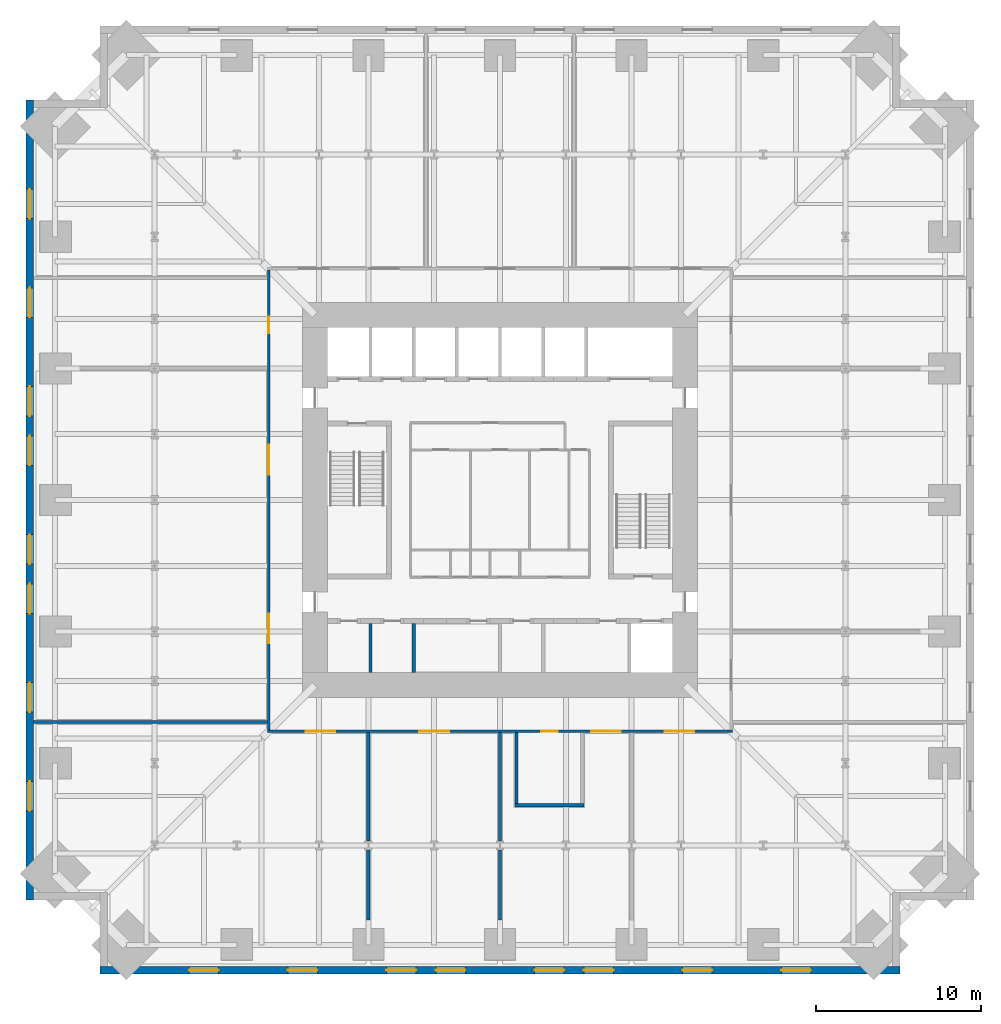
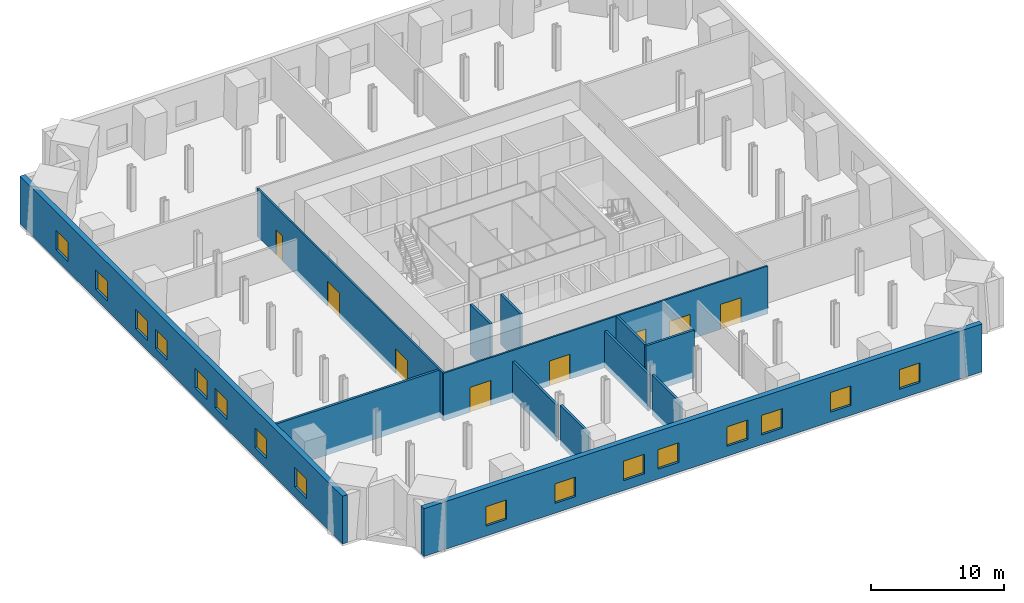
# One storey, part 3 of 8: 16 windows, 13 walls, 8 doors, 24 openings.
"""IFC4 building model written with IfcOpenShell, lengths in metres."""

from ifc_helpers import new_model, si_unit, direction, frame, frame_2d, origin, place, context, subcontext, project, spatial, rectangle, extrude, material, layer, layer_set, type_object, element, fill, save


model = new_model("IFC4")

# Units and contexts
model_context = context("Model", 3, precision=1e-05, world=origin(), true_north=direction((0.0, 1.0)))
body_context = subcontext(model_context, "Body", "Model", "MODEL_VIEW")
ifc_project = project(units=[si_unit("LENGTHUNIT", "METRE"), si_unit("AREAUNIT", "SQUARE_METRE"), si_unit("VOLUMEUNIT", "CUBIC_METRE"), si_unit("PLANEANGLEUNIT", "RADIAN"), si_unit("MASSUNIT", "GRAM", prefix="KILO")], contexts=[model_context])

# Site, building, storey
site_placement = place(None, origin())
site = spatial("IfcSite", under=ifc_project, at=site_placement, CompositionType="ELEMENT")
building_placement = place(site_placement, origin())
building = spatial("IfcBuilding", under=site, at=building_placement, Name="Peilmerk Tower", CompositionType="ELEMENT")
storey_placement = place(building_placement, frame((0.0, 0.0, 95.199951171875)))
storey = spatial("IfcBuildingStorey", under=building, at=storey_placement, Name="L18", CompositionType="ELEMENT", Elevation=95.199951171875)

# Wall, openings, windows
ifc_material_1 = material(Name="Precast concrete C45/55, board-marked finish", Category="concrete")
ifc_layer_1 = layer(ifc_material_1, 0.449951171875)
ifc_layer_set_1 = layer_set([ifc_layer_1], Name="Precast concrete C45/55, board-marked finish")
wall_type_1 = type_object("IfcWallType", Name="EW1 450 precast concrete facade wall, board-marked", PredefinedType="SOLIDWALL", material=ifc_layer_set_1)
wall_1_placement = place(storey_placement, frame((-24.300048828125, -28.574951171875, 0.0), z_axis=(0.0, 0.0, 1.0), x_axis=(1.0, 0.0, 0.0)))
wall_1 = element("IfcWall", 1, at=wall_1_placement, inside=storey, type_object=wall_type_1, Name="Facade wall S L18", PredefinedType="SOLIDWALL", context=body_context, shape_type="SweptSolid", body=[
    extrude(rectangle(XDim=48.60009765625, YDim=0.449951171875, at=frame_2d((24.300048828125, 0.0))), origin(), (0.0, 0.0, 1.0), 4.400146484375),
])
opening_1_placement = place(wall_1_placement, frame((5.39990234375, 0.0, 0.89990234375)))
opening_1 = element("IfcOpeningElement", 2, at=opening_1_placement, cuts=wall_1, Name="Opening W3", PredefinedType="OPENING", context=body_context, shape_type="SweptSolid", body=[
    extrude(rectangle(XDim=1.800048828125, YDim=1.800048828125, at=frame_2d((0.89990234375, 0.89990234375))), frame((0.0, 0.23486328125, 0.0), z_axis=(0.0, -1.0, 0.0), x_axis=(1.0, 0.0, 0.0)), (0.0, 0.0, 1.0), 0.469970703125),
])
opening_2_placement = place(wall_1_placement, frame((11.39990234375, 0.0, 0.89990234375)))
opening_2 = element("IfcOpeningElement", 3, at=opening_2_placement, cuts=wall_1, Name="Opening W3", PredefinedType="OPENING", context=body_context, shape_type="SweptSolid", body=[
    extrude(rectangle(XDim=1.800048828125, YDim=1.800048828125, at=frame_2d((0.89990234375, 0.89990234375))), frame((0.0, 0.23486328125, 0.0), z_axis=(0.0, -1.0, 0.0), x_axis=(1.0, 0.0, 0.0)), (0.0, 0.0, 1.0), 0.469970703125),
])
opening_3_placement = place(wall_1_placement, frame((17.39990234375, 0.0, 0.89990234375)))
opening_3 = element("IfcOpeningElement", 4, at=opening_3_placement, cuts=wall_1, Name="Opening W3", PredefinedType="OPENING", context=body_context, shape_type="SweptSolid", body=[
    extrude(rectangle(XDim=1.800048828125, YDim=1.800048828125, at=frame_2d((0.89990234375, 0.89990234375))), frame((0.0, 0.23486328125, 0.0), z_axis=(0.0, -1.0, 0.0), x_axis=(1.0, 0.0, 0.0)), (0.0, 0.0, 1.0), 0.469970703125),
])
opening_4_placement = place(wall_1_placement, frame((20.39990234375, 0.0, 0.89990234375)))
opening_4 = element("IfcOpeningElement", 5, at=opening_4_placement, cuts=wall_1, Name="Opening W3", PredefinedType="OPENING", context=body_context, shape_type="SweptSolid", body=[
    extrude(rectangle(XDim=1.800048828125, YDim=1.800048828125, at=frame_2d((0.89990234375, 0.89990234375))), frame((0.0, 0.23486328125, 0.0), z_axis=(0.0, -1.0, 0.0), x_axis=(1.0, 0.0, 0.0)), (0.0, 0.0, 1.0), 0.469970703125),
])
opening_5_placement = place(wall_1_placement, frame((26.39990234375, 0.0, 0.89990234375)))
opening_5 = element("IfcOpeningElement", 6, at=opening_5_placement, cuts=wall_1, Name="Opening W3", PredefinedType="OPENING", context=body_context, shape_type="SweptSolid", body=[
    extrude(rectangle(XDim=1.800048828125, YDim=1.800048828125, at=frame_2d((0.89990234375, 0.89990234375))), frame((0.0, 0.23486328125, 0.0), z_axis=(0.0, -1.0, 0.0), x_axis=(1.0, 0.0, 0.0)), (0.0, 0.0, 1.0), 0.469970703125),
])
opening_6_placement = place(wall_1_placement, frame((29.39990234375, 0.0, 0.89990234375)))
opening_6 = element("IfcOpeningElement", 7, at=opening_6_placement, cuts=wall_1, Name="Opening W3", PredefinedType="OPENING", context=body_context, shape_type="SweptSolid", body=[
    extrude(rectangle(XDim=1.800048828125, YDim=1.800048828125, at=frame_2d((0.89990234375, 0.89990234375))), frame((0.0, 0.23486328125, 0.0), z_axis=(0.0, -1.0, 0.0), x_axis=(1.0, 0.0, 0.0)), (0.0, 0.0, 1.0), 0.469970703125),
])
opening_7_placement = place(wall_1_placement, frame((35.39990234375, 0.0, 0.89990234375)))
opening_7 = element("IfcOpeningElement", 8, at=opening_7_placement, cuts=wall_1, Name="Opening W3", PredefinedType="OPENING", context=body_context, shape_type="SweptSolid", body=[
    extrude(rectangle(XDim=1.800048828125, YDim=1.800048828125, at=frame_2d((0.89990234375, 0.89990234375))), frame((0.0, 0.23486328125, 0.0), z_axis=(0.0, -1.0, 0.0), x_axis=(1.0, 0.0, 0.0)), (0.0, 0.0, 1.0), 0.469970703125),
])
opening_8_placement = place(wall_1_placement, frame((41.39990234375, 0.0, 0.89990234375)))
opening_8 = element("IfcOpeningElement", 9, at=opening_8_placement, cuts=wall_1, Name="Opening W3", PredefinedType="OPENING", context=body_context, shape_type="SweptSolid", body=[
    extrude(rectangle(XDim=1.800048828125, YDim=1.800048828125, at=frame_2d((0.89990234375, 0.89990234375))), frame((0.0, 0.23486328125, 0.0), z_axis=(0.0, -1.0, 0.0), x_axis=(1.0, 0.0, 0.0)), (0.0, 0.0, 1.0), 0.469970703125),
])
ifc_material_2 = material(Name="Aluminium frame, clear double glazing", Category="aluminium")
window_type = type_object("IfcWindowType", Name="W3 1800x1800 telecom floor window", PartitioningType="SINGLE_PANEL", PredefinedType="WINDOW", material=ifc_material_2)
window_1_placement = place(opening_1_placement, origin())
window_1 = element("IfcWindow", 10, at=window_1_placement, inside=storey, type_object=window_type, Name="Window W3 L18", OverallHeight=1.800048828125, OverallWidth=1.800048828125, PartitioningType="SINGLE_PANEL", PredefinedType="WINDOW", context=body_context, shape_type="SweptSolid", body=[
    extrude(rectangle(XDim=1.800048828125, YDim=1.800048828125, at=frame_2d((0.89990234375, 0.89990234375))), frame((0.0, 0.030029296875, 0.0), z_axis=(0.0, -1.0, 0.0), x_axis=(1.0, 0.0, 0.0)), (0.0, 0.0, 1.0), 0.06005859375),
])
fill(opening_1, window_1)
window_2_placement = place(opening_2_placement, origin())
window_2 = element("IfcWindow", 11, at=window_2_placement, inside=storey, type_object=window_type, Name="Window W3 L18", OverallHeight=1.800048828125, OverallWidth=1.800048828125, PartitioningType="SINGLE_PANEL", PredefinedType="WINDOW", context=body_context, shape_type="SweptSolid", body=[
    extrude(rectangle(XDim=1.800048828125, YDim=1.800048828125, at=frame_2d((0.89990234375, 0.89990234375))), frame((0.0, 0.030029296875, 0.0), z_axis=(0.0, -1.0, 0.0), x_axis=(1.0, 0.0, 0.0)), (0.0, 0.0, 1.0), 0.06005859375),
])
fill(opening_2, window_2)
window_3_placement = place(opening_3_placement, origin())
window_3 = element("IfcWindow", 12, at=window_3_placement, inside=storey, type_object=window_type, Name="Window W3 L18", OverallHeight=1.800048828125, OverallWidth=1.800048828125, PartitioningType="SINGLE_PANEL", PredefinedType="WINDOW", context=body_context, shape_type="SweptSolid", body=[
    extrude(rectangle(XDim=1.800048828125, YDim=1.800048828125, at=frame_2d((0.89990234375, 0.89990234375))), frame((0.0, 0.030029296875, 0.0), z_axis=(0.0, -1.0, 0.0), x_axis=(1.0, 0.0, 0.0)), (0.0, 0.0, 1.0), 0.06005859375),
])
fill(opening_3, window_3)
window_4_placement = place(opening_4_placement, origin())
window_4 = element("IfcWindow", 13, at=window_4_placement, inside=storey, type_object=window_type, Name="Window W3 L18", OverallHeight=1.800048828125, OverallWidth=1.800048828125, PartitioningType="SINGLE_PANEL", PredefinedType="WINDOW", context=body_context, shape_type="SweptSolid", body=[
    extrude(rectangle(XDim=1.800048828125, YDim=1.800048828125, at=frame_2d((0.89990234375, 0.89990234375))), frame((0.0, 0.030029296875, 0.0), z_axis=(0.0, -1.0, 0.0), x_axis=(1.0, 0.0, 0.0)), (0.0, 0.0, 1.0), 0.06005859375),
])
fill(opening_4, window_4)
window_5_placement = place(opening_5_placement, origin())
window_5 = element("IfcWindow", 14, at=window_5_placement, inside=storey, type_object=window_type, Name="Window W3 L18", OverallHeight=1.800048828125, OverallWidth=1.800048828125, PartitioningType="SINGLE_PANEL", PredefinedType="WINDOW", context=body_context, shape_type="SweptSolid", body=[
    extrude(rectangle(XDim=1.800048828125, YDim=1.800048828125, at=frame_2d((0.89990234375, 0.89990234375))), frame((0.0, 0.030029296875, 0.0), z_axis=(0.0, -1.0, 0.0), x_axis=(1.0, 0.0, 0.0)), (0.0, 0.0, 1.0), 0.06005859375),
])
fill(opening_5, window_5)
window_6_placement = place(opening_6_placement, origin())
window_6 = element("IfcWindow", 15, at=window_6_placement, inside=storey, type_object=window_type, Name="Window W3 L18", OverallHeight=1.800048828125, OverallWidth=1.800048828125, PartitioningType="SINGLE_PANEL", PredefinedType="WINDOW", context=body_context, shape_type="SweptSolid", body=[
    extrude(rectangle(XDim=1.800048828125, YDim=1.800048828125, at=frame_2d((0.89990234375, 0.89990234375))), frame((0.0, 0.030029296875, 0.0), z_axis=(0.0, -1.0, 0.0), x_axis=(1.0, 0.0, 0.0)), (0.0, 0.0, 1.0), 0.06005859375),
])
fill(opening_6, window_6)
window_7_placement = place(opening_7_placement, origin())
window_7 = element("IfcWindow", 16, at=window_7_placement, inside=storey, type_object=window_type, Name="Window W3 L18", OverallHeight=1.800048828125, OverallWidth=1.800048828125, PartitioningType="SINGLE_PANEL", PredefinedType="WINDOW", context=body_context, shape_type="SweptSolid", body=[
    extrude(rectangle(XDim=1.800048828125, YDim=1.800048828125, at=frame_2d((0.89990234375, 0.89990234375))), frame((0.0, 0.030029296875, 0.0), z_axis=(0.0, -1.0, 0.0), x_axis=(1.0, 0.0, 0.0)), (0.0, 0.0, 1.0), 0.06005859375),
])
fill(opening_7, window_7)
window_8_placement = place(opening_8_placement, origin())
window_8 = element("IfcWindow", 17, at=window_8_placement, inside=storey, type_object=window_type, Name="Window W3 L18", OverallHeight=1.800048828125, OverallWidth=1.800048828125, PartitioningType="SINGLE_PANEL", PredefinedType="WINDOW", context=body_context, shape_type="SweptSolid", body=[
    extrude(rectangle(XDim=1.800048828125, YDim=1.800048828125, at=frame_2d((0.89990234375, 0.89990234375))), frame((0.0, 0.030029296875, 0.0), z_axis=(0.0, -1.0, 0.0), x_axis=(1.0, 0.0, 0.0)), (0.0, 0.0, 1.0), 0.06005859375),
])
fill(opening_8, window_8)

wall_2_placement = place(storey_placement, frame((-28.574951171875, 24.300048828125, 0.0), z_axis=(0.0, 0.0, 1.0), x_axis=(0.0, -1.0, 0.0)))
wall_2 = element("IfcWall", 18, at=wall_2_placement, inside=storey, type_object=wall_type_1, Name="Facade wall W L18", PredefinedType="SOLIDWALL", context=body_context, shape_type="SweptSolid", body=[
    extrude(rectangle(XDim=48.60009765625, YDim=0.449951171875, at=frame_2d((24.300048828125, 0.0))), origin(), (0.0, 0.0, 1.0), 4.400146484375),
])
opening_9_placement = place(wall_2_placement, frame((5.39990234375, 0.0, 0.89990234375)))
opening_9 = element("IfcOpeningElement", 19, at=opening_9_placement, cuts=wall_2, Name="Opening W3", PredefinedType="OPENING", context=body_context, shape_type="SweptSolid", body=[
    extrude(rectangle(XDim=1.800048828125, YDim=1.800048828125, at=frame_2d((0.89990234375, 0.89990234375))), frame((0.0, 0.23486328125, 0.0), z_axis=(0.0, -1.0, 0.0), x_axis=(1.0, 0.0, 0.0)), (0.0, 0.0, 1.0), 0.469970703125),
])
opening_10_placement = place(wall_2_placement, frame((11.39990234375, 0.0, 0.89990234375)))
opening_10 = element("IfcOpeningElement", 20, at=opening_10_placement, cuts=wall_2, Name="Opening W3", PredefinedType="OPENING", context=body_context, shape_type="SweptSolid", body=[
    extrude(rectangle(XDim=1.800048828125, YDim=1.800048828125, at=frame_2d((0.89990234375, 0.89990234375))), frame((0.0, 0.23486328125, 0.0), z_axis=(0.0, -1.0, 0.0), x_axis=(1.0, 0.0, 0.0)), (0.0, 0.0, 1.0), 0.469970703125),
])
opening_11_placement = place(wall_2_placement, frame((17.39990234375, 0.0, 0.89990234375)))
opening_11 = element("IfcOpeningElement", 21, at=opening_11_placement, cuts=wall_2, Name="Opening W3", PredefinedType="OPENING", context=body_context, shape_type="SweptSolid", body=[
    extrude(rectangle(XDim=1.800048828125, YDim=1.800048828125, at=frame_2d((0.89990234375, 0.89990234375))), frame((0.0, 0.23486328125, 0.0), z_axis=(0.0, -1.0, 0.0), x_axis=(1.0, 0.0, 0.0)), (0.0, 0.0, 1.0), 0.469970703125),
])
opening_12_placement = place(wall_2_placement, frame((20.39990234375, 0.0, 0.89990234375)))
opening_12 = element("IfcOpeningElement", 22, at=opening_12_placement, cuts=wall_2, Name="Opening W3", PredefinedType="OPENING", context=body_context, shape_type="SweptSolid", body=[
    extrude(rectangle(XDim=1.800048828125, YDim=1.800048828125, at=frame_2d((0.89990234375, 0.89990234375))), frame((0.0, 0.23486328125, 0.0), z_axis=(0.0, -1.0, 0.0), x_axis=(1.0, 0.0, 0.0)), (0.0, 0.0, 1.0), 0.469970703125),
])
opening_13_placement = place(wall_2_placement, frame((26.39990234375, 0.0, 0.89990234375)))
opening_13 = element("IfcOpeningElement", 23, at=opening_13_placement, cuts=wall_2, Name="Opening W3", PredefinedType="OPENING", context=body_context, shape_type="SweptSolid", body=[
    extrude(rectangle(XDim=1.800048828125, YDim=1.800048828125, at=frame_2d((0.89990234375, 0.89990234375))), frame((0.0, 0.23486328125, 0.0), z_axis=(0.0, -1.0, 0.0), x_axis=(1.0, 0.0, 0.0)), (0.0, 0.0, 1.0), 0.469970703125),
])
opening_14_placement = place(wall_2_placement, frame((29.39990234375, 0.0, 0.89990234375)))
opening_14 = element("IfcOpeningElement", 24, at=opening_14_placement, cuts=wall_2, Name="Opening W3", PredefinedType="OPENING", context=body_context, shape_type="SweptSolid", body=[
    extrude(rectangle(XDim=1.800048828125, YDim=1.800048828125, at=frame_2d((0.89990234375, 0.89990234375))), frame((0.0, 0.23486328125, 0.0), z_axis=(0.0, -1.0, 0.0), x_axis=(1.0, 0.0, 0.0)), (0.0, 0.0, 1.0), 0.469970703125),
])
opening_15_placement = place(wall_2_placement, frame((35.39990234375, 0.0, 0.89990234375)))
opening_15 = element("IfcOpeningElement", 25, at=opening_15_placement, cuts=wall_2, Name="Opening W3", PredefinedType="OPENING", context=body_context, shape_type="SweptSolid", body=[
    extrude(rectangle(XDim=1.800048828125, YDim=1.800048828125, at=frame_2d((0.89990234375, 0.89990234375))), frame((0.0, 0.23486328125, 0.0), z_axis=(0.0, -1.0, 0.0), x_axis=(1.0, 0.0, 0.0)), (0.0, 0.0, 1.0), 0.469970703125),
])
opening_16_placement = place(wall_2_placement, frame((41.39990234375, 0.0, 0.89990234375)))
opening_16 = element("IfcOpeningElement", 26, at=opening_16_placement, cuts=wall_2, Name="Opening W3", PredefinedType="OPENING", context=body_context, shape_type="SweptSolid", body=[
    extrude(rectangle(XDim=1.800048828125, YDim=1.800048828125, at=frame_2d((0.89990234375, 0.89990234375))), frame((0.0, 0.23486328125, 0.0), z_axis=(0.0, -1.0, 0.0), x_axis=(1.0, 0.0, 0.0)), (0.0, 0.0, 1.0), 0.469970703125),
])
window_9_placement = place(opening_9_placement, origin())
window_9 = element("IfcWindow", 27, at=window_9_placement, inside=storey, type_object=window_type, Name="Window W3 L18", OverallHeight=1.800048828125, OverallWidth=1.800048828125, PartitioningType="SINGLE_PANEL", PredefinedType="WINDOW", context=body_context, shape_type="SweptSolid", body=[
    extrude(rectangle(XDim=1.800048828125, YDim=1.800048828125, at=frame_2d((0.89990234375, 0.89990234375))), frame((0.0, 0.030029296875, 0.0), z_axis=(0.0, -1.0, 0.0), x_axis=(1.0, 0.0, 0.0)), (0.0, 0.0, 1.0), 0.06005859375),
])
fill(opening_9, window_9)
window_10_placement = place(opening_10_placement, origin())
window_10 = element("IfcWindow", 28, at=window_10_placement, inside=storey, type_object=window_type, Name="Window W3 L18", OverallHeight=1.800048828125, OverallWidth=1.800048828125, PartitioningType="SINGLE_PANEL", PredefinedType="WINDOW", context=body_context, shape_type="SweptSolid", body=[
    extrude(rectangle(XDim=1.800048828125, YDim=1.800048828125, at=frame_2d((0.89990234375, 0.89990234375))), frame((0.0, 0.030029296875, 0.0), z_axis=(0.0, -1.0, 0.0), x_axis=(1.0, 0.0, 0.0)), (0.0, 0.0, 1.0), 0.06005859375),
])
fill(opening_10, window_10)
window_11_placement = place(opening_11_placement, origin())
window_11 = element("IfcWindow", 29, at=window_11_placement, inside=storey, type_object=window_type, Name="Window W3 L18", OverallHeight=1.800048828125, OverallWidth=1.800048828125, PartitioningType="SINGLE_PANEL", PredefinedType="WINDOW", context=body_context, shape_type="SweptSolid", body=[
    extrude(rectangle(XDim=1.800048828125, YDim=1.800048828125, at=frame_2d((0.89990234375, 0.89990234375))), frame((0.0, 0.030029296875, 0.0), z_axis=(0.0, -1.0, 0.0), x_axis=(1.0, 0.0, 0.0)), (0.0, 0.0, 1.0), 0.06005859375),
])
fill(opening_11, window_11)
window_12_placement = place(opening_12_placement, origin())
window_12 = element("IfcWindow", 30, at=window_12_placement, inside=storey, type_object=window_type, Name="Window W3 L18", OverallHeight=1.800048828125, OverallWidth=1.800048828125, PartitioningType="SINGLE_PANEL", PredefinedType="WINDOW", context=body_context, shape_type="SweptSolid", body=[
    extrude(rectangle(XDim=1.800048828125, YDim=1.800048828125, at=frame_2d((0.89990234375, 0.89990234375))), frame((0.0, 0.030029296875, 0.0), z_axis=(0.0, -1.0, 0.0), x_axis=(1.0, 0.0, 0.0)), (0.0, 0.0, 1.0), 0.06005859375),
])
fill(opening_12, window_12)
window_13_placement = place(opening_13_placement, origin())
window_13 = element("IfcWindow", 31, at=window_13_placement, inside=storey, type_object=window_type, Name="Window W3 L18", OverallHeight=1.800048828125, OverallWidth=1.800048828125, PartitioningType="SINGLE_PANEL", PredefinedType="WINDOW", context=body_context, shape_type="SweptSolid", body=[
    extrude(rectangle(XDim=1.800048828125, YDim=1.800048828125, at=frame_2d((0.89990234375, 0.89990234375))), frame((0.0, 0.030029296875, 0.0), z_axis=(0.0, -1.0, 0.0), x_axis=(1.0, 0.0, 0.0)), (0.0, 0.0, 1.0), 0.06005859375),
])
fill(opening_13, window_13)
window_14_placement = place(opening_14_placement, origin())
window_14 = element("IfcWindow", 32, at=window_14_placement, inside=storey, type_object=window_type, Name="Window W3 L18", OverallHeight=1.800048828125, OverallWidth=1.800048828125, PartitioningType="SINGLE_PANEL", PredefinedType="WINDOW", context=body_context, shape_type="SweptSolid", body=[
    extrude(rectangle(XDim=1.800048828125, YDim=1.800048828125, at=frame_2d((0.89990234375, 0.89990234375))), frame((0.0, 0.030029296875, 0.0), z_axis=(0.0, -1.0, 0.0), x_axis=(1.0, 0.0, 0.0)), (0.0, 0.0, 1.0), 0.06005859375),
])
fill(opening_14, window_14)
window_15_placement = place(opening_15_placement, origin())
window_15 = element("IfcWindow", 33, at=window_15_placement, inside=storey, type_object=window_type, Name="Window W3 L18", OverallHeight=1.800048828125, OverallWidth=1.800048828125, PartitioningType="SINGLE_PANEL", PredefinedType="WINDOW", context=body_context, shape_type="SweptSolid", body=[
    extrude(rectangle(XDim=1.800048828125, YDim=1.800048828125, at=frame_2d((0.89990234375, 0.89990234375))), frame((0.0, 0.030029296875, 0.0), z_axis=(0.0, -1.0, 0.0), x_axis=(1.0, 0.0, 0.0)), (0.0, 0.0, 1.0), 0.06005859375),
])
fill(opening_15, window_15)
window_16_placement = place(opening_16_placement, origin())
window_16 = element("IfcWindow", 34, at=window_16_placement, inside=storey, type_object=window_type, Name="Window W3 L18", OverallHeight=1.800048828125, OverallWidth=1.800048828125, PartitioningType="SINGLE_PANEL", PredefinedType="WINDOW", context=body_context, shape_type="SweptSolid", body=[
    extrude(rectangle(XDim=1.800048828125, YDim=1.800048828125, at=frame_2d((0.89990234375, 0.89990234375))), frame((0.0, 0.030029296875, 0.0), z_axis=(0.0, -1.0, 0.0), x_axis=(1.0, 0.0, 0.0)), (0.0, 0.0, 1.0), 0.06005859375),
])
fill(opening_16, window_16)

# Wall, openings, doors
ifc_material_3 = material(Name="Calcium silicate block", Category="masonry")
ifc_layer_2 = layer(ifc_material_3, 0.14990234375)
ifc_layer_set_2 = layer_set([ifc_layer_2], Name="Calcium silicate block")
wall_type_2 = type_object("IfcWallType", Name="IW1 150 corridor partition, EI 60", PredefinedType="PARTITIONING", material=ifc_layer_set_2)
wall_3_placement = place(storey_placement, frame((14.125, -14.050048828125, 0.0), z_axis=(0.0, 0.0, 1.0), x_axis=(-1.0, 0.0, 0.0)))
wall_3 = element("IfcWall", 35, at=wall_3_placement, inside=storey, type_object=wall_type_2, Name="Corridor wall S L18", PredefinedType="PARTITIONING", context=body_context, shape_type="SweptSolid", body=[
    extrude(rectangle(XDim=28.25, YDim=0.14990234375, at=frame_2d((14.125, 0.0))), origin(), (0.0, 0.0, 1.0), 4.400146484375),
])
opening_17_placement = place(wall_3_placement, frame((24.125, 0.0, 0.0)))
opening_17 = element("IfcOpeningElement", 36, at=opening_17_placement, cuts=wall_3, Name="Opening D2", PredefinedType="OPENING", context=body_context, shape_type="SweptSolid", body=[
    extrude(rectangle(XDim=1.800048828125, YDim=2.300048828125, at=frame_2d((0.89990234375, 1.14990234375))), frame((0.0, 0.0849609375, 0.0), z_axis=(0.0, -1.0, 0.0), x_axis=(1.0, 0.0, 0.0)), (0.0, 0.0, 1.0), 0.169921875),
])
opening_18_placement = place(wall_3_placement, frame((17.22509765625, 0.0, 0.0)))
opening_18 = element("IfcOpeningElement", 37, at=opening_18_placement, cuts=wall_3, Name="Opening D2", PredefinedType="OPENING", context=body_context, shape_type="SweptSolid", body=[
    extrude(rectangle(XDim=1.800048828125, YDim=2.300048828125, at=frame_2d((0.89990234375, 1.14990234375))), frame((0.0, 0.0849609375, 0.0), z_axis=(0.0, -1.0, 0.0), x_axis=(1.0, 0.0, 0.0)), (0.0, 0.0, 1.0), 0.169921875),
])
opening_19_placement = place(wall_3_placement, frame((6.77490234375, 0.0, 0.0)))
opening_19 = element("IfcOpeningElement", 38, at=opening_19_placement, cuts=wall_3, Name="Opening D2", PredefinedType="OPENING", context=body_context, shape_type="SweptSolid", body=[
    extrude(rectangle(XDim=1.800048828125, YDim=2.300048828125, at=frame_2d((0.89990234375, 1.14990234375))), frame((0.0, 0.0849609375, 0.0), z_axis=(0.0, -1.0, 0.0), x_axis=(1.0, 0.0, 0.0)), (0.0, 0.0, 1.0), 0.169921875),
])
opening_20_placement = place(wall_3_placement, frame((2.324951171875, 0.0, 0.0)))
opening_20 = element("IfcOpeningElement", 39, at=opening_20_placement, cuts=wall_3, Name="Opening D2", PredefinedType="OPENING", context=body_context, shape_type="SweptSolid", body=[
    extrude(rectangle(XDim=1.800048828125, YDim=2.300048828125, at=frame_2d((0.89990234375, 1.14990234375))), frame((0.0, 0.0849609375, 0.0), z_axis=(0.0, -1.0, 0.0), x_axis=(1.0, 0.0, 0.0)), (0.0, 0.0, 1.0), 0.169921875),
])
opening_21_placement = place(wall_3_placement, frame((10.625, 0.0, 0.0)))
opening_21 = element("IfcOpeningElement", 40, at=opening_21_placement, cuts=wall_3, Name="Opening D1", PredefinedType="OPENING", context=body_context, shape_type="SweptSolid", body=[
    extrude(rectangle(XDim=1.0, YDim=2.300048828125, at=frame_2d((0.5, 1.14990234375))), frame((0.0, 0.0849609375, 0.0), z_axis=(0.0, -1.0, 0.0), x_axis=(1.0, 0.0, 0.0)), (0.0, 0.0, 1.0), 0.169921875),
])
ifc_material_4 = material(Name="Timber door in steel frame", Category="steel")
door_type_1 = type_object("IfcDoorType", Name="D1 1000x2300 room door, EI2 30", OperationType="SINGLE_SWING_LEFT", PredefinedType="DOOR", material=ifc_material_4)
door_1_placement = place(opening_21_placement, origin())
door_1 = element("IfcDoor", 41, at=door_1_placement, inside=storey, type_object=door_type_1, Name="Door Operations office L18", OperationType="SINGLE_SWING_LEFT", OverallHeight=2.300048828125, OverallWidth=1.0, PredefinedType="DOOR", context=body_context, shape_type="SweptSolid", body=[
    extrude(rectangle(XDim=1.0, YDim=2.300048828125, at=frame_2d((0.5, 1.14990234375))), frame((0.0, 0.02490234375, 0.0), z_axis=(0.0, -1.0, 0.0), x_axis=(1.0, 0.0, 0.0)), (0.0, 0.0, 1.0), 0.050048828125),
])
fill(opening_21, door_1)
ifc_material_5 = material(Name="Steel door in steel frame", Category="steel")
door_type_2 = type_object("IfcDoorType", Name="D2 1800x2300 double door, EI2 60", OperationType="DOUBLE_DOOR_DOUBLE_SWING", PredefinedType="DOOR", material=ifc_material_5)
door_2_placement = place(opening_17_placement, origin())
door_2 = element("IfcDoor", 42, at=door_2_placement, inside=storey, type_object=door_type_2, Name="Door Telecom equipment room D L18", OperationType="DOUBLE_DOOR_DOUBLE_SWING", OverallHeight=2.300048828125, OverallWidth=1.800048828125, PredefinedType="DOOR", context=body_context, shape_type="SweptSolid", body=[
    extrude(rectangle(XDim=1.800048828125, YDim=2.300048828125, at=frame_2d((0.89990234375, 1.14990234375))), frame((0.0, 0.02490234375, 0.0), z_axis=(0.0, -1.0, 0.0), x_axis=(1.0, 0.0, 0.0)), (0.0, 0.0, 1.0), 0.050048828125),
])
fill(opening_17, door_2)
door_3_placement = place(opening_18_placement, origin())
door_3 = element("IfcDoor", 43, at=door_3_placement, inside=storey, type_object=door_type_2, Name="Door Transmission room A L18", OperationType="DOUBLE_DOOR_DOUBLE_SWING", OverallHeight=2.300048828125, OverallWidth=1.800048828125, PredefinedType="DOOR", context=body_context, shape_type="SweptSolid", body=[
    extrude(rectangle(XDim=1.800048828125, YDim=2.300048828125, at=frame_2d((0.89990234375, 1.14990234375))), frame((0.0, 0.02490234375, 0.0), z_axis=(0.0, -1.0, 0.0), x_axis=(1.0, 0.0, 0.0)), (0.0, 0.0, 1.0), 0.050048828125),
])
fill(opening_18, door_3)
door_4_placement = place(opening_19_placement, origin())
door_4 = element("IfcDoor", 44, at=door_4_placement, inside=storey, type_object=door_type_2, Name="Door Transmission room B L18", OperationType="DOUBLE_DOOR_DOUBLE_SWING", OverallHeight=2.300048828125, OverallWidth=1.800048828125, PredefinedType="DOOR", context=body_context, shape_type="SweptSolid", body=[
    extrude(rectangle(XDim=1.800048828125, YDim=2.300048828125, at=frame_2d((0.89990234375, 1.14990234375))), frame((0.0, 0.02490234375, 0.0), z_axis=(0.0, -1.0, 0.0), x_axis=(1.0, 0.0, 0.0)), (0.0, 0.0, 1.0), 0.050048828125),
])
fill(opening_19, door_4)
door_5_placement = place(opening_20_placement, origin())
door_5 = element("IfcDoor", 45, at=door_5_placement, inside=storey, type_object=door_type_2, Name="Door Telecom equipment room E L18", OperationType="DOUBLE_DOOR_DOUBLE_SWING", OverallHeight=2.300048828125, OverallWidth=1.800048828125, PredefinedType="DOOR", context=body_context, shape_type="SweptSolid", body=[
    extrude(rectangle(XDim=1.800048828125, YDim=2.300048828125, at=frame_2d((0.89990234375, 1.14990234375))), frame((0.0, 0.02490234375, 0.0), z_axis=(0.0, -1.0, 0.0), x_axis=(1.0, 0.0, 0.0)), (0.0, 0.0, 1.0), 0.050048828125),
])
fill(opening_20, door_5)

wall_4_placement = place(storey_placement, frame((-14.050048828125, 13.97509765625, 0.0), z_axis=(0.0, 0.0, 1.0), x_axis=(0.0, -1.0, 0.0)))
wall_4 = element("IfcWall", 46, at=wall_4_placement, inside=storey, type_object=wall_type_2, Name="Corridor wall W L18", PredefinedType="PARTITIONING", context=body_context, shape_type="SweptSolid", body=[
    extrude(rectangle(XDim=27.9501953125, YDim=0.14990234375, at=frame_2d((13.97509765625, 0.0))), origin(), (0.0, 0.0, 1.0), 4.400146484375),
])
opening_22_placement = place(wall_4_placement, frame((20.875, 0.0, 0.0)))
opening_22 = element("IfcOpeningElement", 47, at=opening_22_placement, cuts=wall_4, Name="Opening D2", PredefinedType="OPENING", context=body_context, shape_type="SweptSolid", body=[
    extrude(rectangle(XDim=1.800048828125, YDim=2.300048828125, at=frame_2d((0.89990234375, 1.14990234375))), frame((0.0, 0.0849609375, 0.0), z_axis=(0.0, -1.0, 0.0), x_axis=(1.0, 0.0, 0.0)), (0.0, 0.0, 1.0), 0.169921875),
])
opening_23_placement = place(wall_4_placement, frame((10.625, 0.0, 0.0)))
opening_23 = element("IfcOpeningElement", 48, at=opening_23_placement, cuts=wall_4, Name="Opening D2", PredefinedType="OPENING", context=body_context, shape_type="SweptSolid", body=[
    extrude(rectangle(XDim=1.800048828125, YDim=2.300048828125, at=frame_2d((0.89990234375, 1.14990234375))), frame((0.0, 0.0849609375, 0.0), z_axis=(0.0, -1.0, 0.0), x_axis=(1.0, 0.0, 0.0)), (0.0, 0.0, 1.0), 0.169921875),
])
opening_24_placement = place(wall_4_placement, frame((2.824951171875, 0.0, 0.0)))
opening_24 = element("IfcOpeningElement", 49, at=opening_24_placement, cuts=wall_4, Name="Opening D1", PredefinedType="OPENING", context=body_context, shape_type="SweptSolid", body=[
    extrude(rectangle(XDim=1.0, YDim=2.300048828125, at=frame_2d((0.5, 1.14990234375))), frame((0.0, 0.0849609375, 0.0), z_axis=(0.0, -1.0, 0.0), x_axis=(1.0, 0.0, 0.0)), (0.0, 0.0, 1.0), 0.169921875),
])
door_6_placement = place(opening_24_placement, frame((1.0, 0.0, 0.0), z_axis=(0.0, 0.0, 1.0), x_axis=(-1.0, 0.0, 0.0)))
door_6 = element("IfcDoor", 50, at=door_6_placement, inside=storey, type_object=door_type_1, Name="Door Store L18", OperationType="SINGLE_SWING_LEFT", OverallHeight=2.300048828125, OverallWidth=1.0, PredefinedType="DOOR", context=body_context, shape_type="SweptSolid", body=[
    extrude(rectangle(XDim=1.0, YDim=2.300048828125, at=frame_2d((0.5, 1.14990234375))), frame((0.0, 0.02490234375, 0.0), z_axis=(0.0, -1.0, 0.0), x_axis=(1.0, 0.0, 0.0)), (0.0, 0.0, 1.0), 0.050048828125),
])
fill(opening_24, door_6)
door_7_placement = place(opening_22_placement, frame((1.800048828125, 0.0, 0.0), z_axis=(0.0, 0.0, 1.0), x_axis=(-1.0, 0.0, 0.0)))
door_7 = element("IfcDoor", 51, at=door_7_placement, inside=storey, type_object=door_type_2, Name="Door Network room L18", OperationType="DOUBLE_DOOR_DOUBLE_SWING", OverallHeight=2.300048828125, OverallWidth=1.800048828125, PredefinedType="DOOR", context=body_context, shape_type="SweptSolid", body=[
    extrude(rectangle(XDim=1.800048828125, YDim=2.300048828125, at=frame_2d((0.89990234375, 1.14990234375))), frame((0.0, 0.02490234375, 0.0), z_axis=(0.0, -1.0, 0.0), x_axis=(1.0, 0.0, 0.0)), (0.0, 0.0, 1.0), 0.050048828125),
])
fill(opening_22, door_7)
door_8_placement = place(opening_23_placement, frame((1.800048828125, 0.0, 0.0), z_axis=(0.0, 0.0, 1.0), x_axis=(-1.0, 0.0, 0.0)))
door_8 = element("IfcDoor", 52, at=door_8_placement, inside=storey, type_object=door_type_2, Name="Door Network room L18", OperationType="DOUBLE_DOOR_DOUBLE_SWING", OverallHeight=2.300048828125, OverallWidth=1.800048828125, PredefinedType="DOOR", context=body_context, shape_type="SweptSolid", body=[
    extrude(rectangle(XDim=1.800048828125, YDim=2.300048828125, at=frame_2d((0.89990234375, 1.14990234375))), frame((0.0, 0.02490234375, 0.0), z_axis=(0.0, -1.0, 0.0), x_axis=(1.0, 0.0, 0.0)), (0.0, 0.0, 1.0), 0.050048828125),
])
fill(opening_23, door_8)

# Walls
ifc_layer_3 = layer(ifc_material_3, 0.199951171875)
ifc_layer_set_3 = layer_set([ifc_layer_3], Name="Calcium silicate block")
wall_type_3 = type_object("IfcWallType", Name="IW2 200 room separating wall, EI 120", PredefinedType="PARTITIONING", material=ifc_layer_set_3)
wall_5_placement = place(storey_placement, frame((-14.125, -13.5, 0.0), z_axis=(0.0, 0.0, 1.0), x_axis=(-1.0, 0.0, 0.0)))
element("IfcWall", 53, at=wall_5_placement, inside=storey, type_object=wall_type_3, Name="Room separating wall SW L18", PredefinedType="PARTITIONING", context=body_context, shape_type="SweptSolid", body=[
    extrude(rectangle(XDim=14.22509765625, YDim=0.199951171875, at=frame_2d((7.112548828125, 0.0))), origin(), (0.0, 0.0, 1.0), 4.400146484375),
])
wall_6_placement = place(storey_placement, frame((-8.0, -14.125, 0.0), z_axis=(0.0, 0.0, 1.0), x_axis=(0.0, -1.0, 0.0)))
element("IfcWall", 54, at=wall_6_placement, inside=storey, type_object=wall_type_3, Name="Room separating wall S1 L18", PredefinedType="PARTITIONING", context=body_context, shape_type="SweptSolid", body=[
    extrude(rectangle(XDim=6.590576171875, YDim=0.199951171875, at=frame_2d((3.29541015625, 0.0))), origin(), (0.0, 0.0, 1.0), 3.39208984375),
])
wall_7_placement = place(storey_placement, frame((-8.0, -21.284423828125, 0.0), z_axis=(0.0, 0.0, 1.0), x_axis=(0.0, -1.0, 0.0)))
element("IfcWall", 55, at=wall_7_placement, inside=storey, type_object=wall_type_3, Name="Room separating wall S1b L18", PredefinedType="PARTITIONING", context=body_context, shape_type="SweptSolid", body=[
    extrude(rectangle(XDim=4.24462890625, YDim=0.199951171875, at=frame_2d((2.122314453125, 0.0))), origin(), (0.0, 0.0, 1.0), 3.7099609375),
])
wall_8_placement = place(storey_placement, frame((0.0, -14.125, 0.0), z_axis=(0.0, 0.0, 1.0), x_axis=(0.0, -1.0, 0.0)))
element("IfcWall", 56, at=wall_8_placement, inside=storey, type_object=wall_type_3, Name="Room separating wall S2 L18", PredefinedType="PARTITIONING", context=body_context, shape_type="SweptSolid", body=[
    extrude(rectangle(XDim=6.590576171875, YDim=0.199951171875, at=frame_2d((3.29541015625, 0.0))), origin(), (0.0, 0.0, 1.0), 3.39208984375),
])
wall_9_placement = place(storey_placement, frame((0.0, -21.284423828125, 0.0), z_axis=(0.0, 0.0, 1.0), x_axis=(0.0, -1.0, 0.0)))
element("IfcWall", 57, at=wall_9_placement, inside=storey, type_object=wall_type_3, Name="Room separating wall S2b L18", PredefinedType="PARTITIONING", context=body_context, shape_type="SweptSolid", body=[
    extrude(rectangle(XDim=4.24462890625, YDim=0.199951171875, at=frame_2d((2.122314453125, 0.0))), origin(), (0.0, 0.0, 1.0), 3.7099609375),
])
wall_10_placement = place(storey_placement, frame((0.89990234375, -18.550048828125, 0.0), z_axis=(0.0, 0.0, 1.0), x_axis=(1.0, 0.0, 0.0)))
element("IfcWall", 58, at=wall_10_placement, inside=storey, type_object=wall_type_3, Name="Room separating wall Operations office L18", PredefinedType="PARTITIONING", context=body_context, shape_type="SweptSolid", body=[
    extrude(rectangle(XDim=4.2001953125, YDim=0.199951171875, at=frame_2d((2.10009765625, 0.0))), origin(), (0.0, 0.0, 1.0), 4.400146484375),
])
wall_11_placement = place(storey_placement, frame((1.0, -14.125, 0.0), z_axis=(0.0, 0.0, 1.0), x_axis=(0.0, -1.0, 0.0)))
element("IfcWall", 59, at=wall_11_placement, inside=storey, type_object=wall_type_3, Name="Room separating wall Operations office L18", PredefinedType="PARTITIONING", context=body_context, shape_type="SweptSolid", body=[
    extrude(rectangle(XDim=4.324951171875, YDim=0.199951171875, at=frame_2d((2.16259765625, 0.0))), origin(), (0.0, 0.0, 1.0), 4.400146484375),
])
ifc_layer_4 = layer(ifc_material_3, 0.199951171875)
ifc_layer_set_4 = layer_set([ifc_layer_4], Name="Calcium silicate block")
wall_type_4 = type_object("IfcWallType", Name="SH1 200 shaft dividing wall, EI 120", PredefinedType="PARTITIONING", material=ifc_layer_set_4)
for number, where, z_axis, x_axis, name in (
    (60, (-7.875, -10.5, 0.0), (0.0, 0.0, 1.0), (0.0, 1.0, 0.0), "Shaft wall S C4 L18"),
    (61, (-5.25, -10.5, 0.0), (0.0, 0.0, 1.0), (0.0, 1.0, 0.0), "Shaft wall S C3 L18"),
):
    element("IfcWall", number, at=place(storey_placement, frame(where, z_axis=z_axis, x_axis=x_axis)), inside=storey, type_object=wall_type_4, Name=name, PredefinedType="PARTITIONING", context=body_context, shape_type="SweptSolid", body=[
        extrude(rectangle(XDim=3.0, YDim=0.199951171875, at=frame_2d((1.5, 0.0))), origin(), (0.0, 0.0, 1.0), 4.60009765625),
    ])

save(model, "model.ifc")
